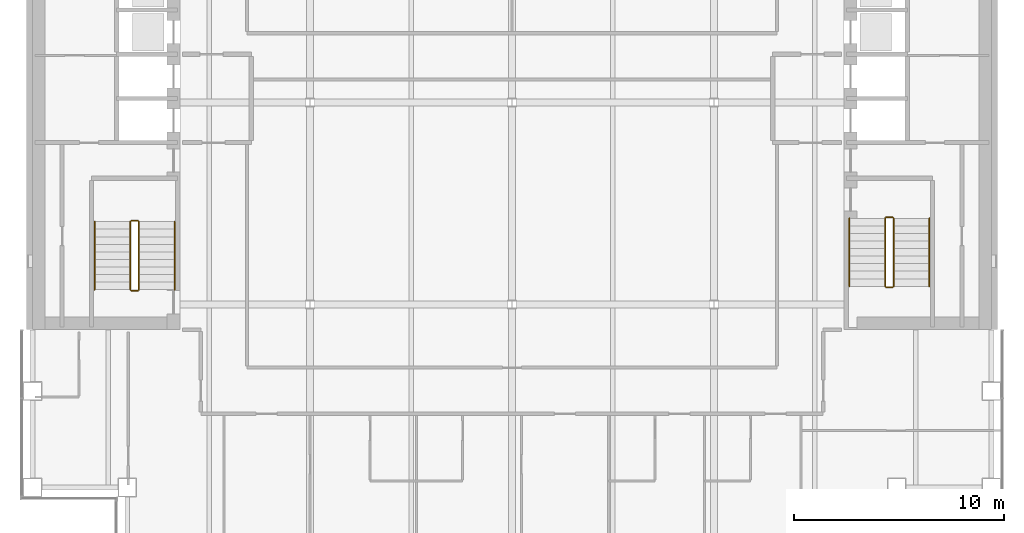
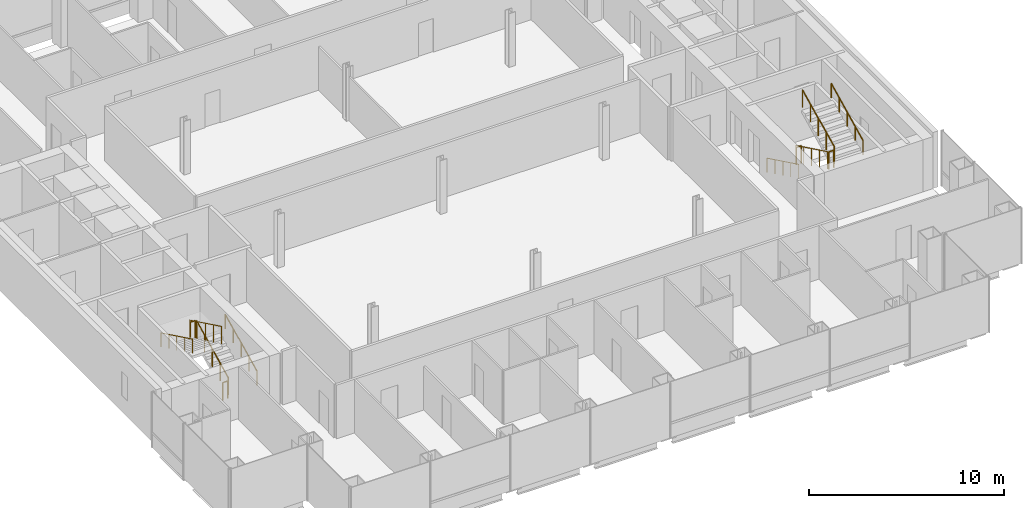
# One storey, part 14 of 15: 12 railings.
"""IFC4 building model written with IfcOpenShell, lengths in metres."""

from ifc_helpers import new_model, si_unit, direction, frame, origin, origin_2d, place, context, subcontext, project, spatial, circle, extrude, material, type_object, element, save


model = new_model("IFC4")

# Units and contexts
model_context = context("Model", 3, precision=1e-05, world=origin(), true_north=direction((0.0, 1.0)))
body_context = subcontext(model_context, "Body", "Model", "MODEL_VIEW")
ifc_project = project(units=[si_unit("LENGTHUNIT", "METRE"), si_unit("AREAUNIT", "SQUARE_METRE"), si_unit("VOLUMEUNIT", "CUBIC_METRE"), si_unit("PLANEANGLEUNIT", "RADIAN"), si_unit("MASSUNIT", "GRAM", prefix="KILO")], contexts=[model_context])

# Site, building, storey
site_placement = place(None, origin())
site = spatial("IfcSite", under=ifc_project, at=site_placement, CompositionType="ELEMENT")
building_placement = place(site_placement, origin())
building = spatial("IfcBuilding", under=site, at=building_placement, Name="Cobrizo Arcos Hotel Tower", CompositionType="ELEMENT")
storey_placement = place(building_placement, frame((0.0, 0.0, 99.5)))
storey = spatial("IfcBuildingStorey", under=building, at=storey_placement, Name="L24", CompositionType="ELEMENT", Elevation=99.5)

# Railings
ifc_material = material(Name="Stainless steel railing", Category="steel")
railing_type_1 = type_object("IfcRailingType", Name="Stair guard 1100", PredefinedType="GUARDRAIL", material=ifc_material)
railing_1_placement = place(storey_placement, frame((-17.75, -8.89990234375, 0.175048828125)))
element("IfcRailing", 1, at=railing_1_placement, inside=storey, type_object=railing_type_1, Name="L24 ST-W stair guard 1", PredefinedType="GUARDRAIL", context=body_context, shape_type="SweptSolid", body=[
    extrude(circle(Radius=0.02392578125, at=origin_2d()), frame((0.0, 0.0, 1.076171875), z_axis=(0.0, 0.899372665325, 0.437182809435), x_axis=(-1.0, 0.0, 0.0)), (0.0, 0.0, 1.0), 3.6025390625),
    extrude(circle(Radius=0.02099609375, at=origin_2d()), origin(), (0.0, 0.0, 1.0), 1.052001953125),
    extrude(circle(Radius=0.02099609375, at=origin_2d()), frame((0.0, 0.81005859375, 0.393798828125)), (0.0, 0.0, 1.0), 1.052001953125),
    extrude(circle(Radius=0.02099609375, at=origin_2d()), frame((0.0, 1.6201171875, 0.78759765625)), (0.0, 0.0, 1.0), 1.052001953125),
    extrude(circle(Radius=0.02099609375, at=origin_2d()), frame((0.0, 2.429931640625, 1.18115234375)), (0.0, 0.0, 1.0), 1.052001953125),
    extrude(circle(Radius=0.02099609375, at=origin_2d()), frame((0.0, 3.239990234375, 1.574951171875)), (0.0, 0.0, 1.0), 1.052001953125),
])
railing_2_placement = place(storey_placement, frame((-17.800048828125, -5.610107421875, 1.75)))
element("IfcRailing", 2, at=railing_2_placement, inside=storey, type_object=railing_type_1, Name="L24 ST-W stair guard 2", PredefinedType="GUARDRAIL", context=body_context, shape_type="SweptSolid", body=[
    extrude(circle(Radius=0.02392578125, at=origin_2d()), frame((0.0, 0.0, 1.076171875), z_axis=(-1.0, 0.0, 0.0), x_axis=(0.0, -1.0, 0.0)), (0.0, 0.0, 1.0), 0.300048828125),
    extrude(circle(Radius=0.02099609375, at=origin_2d()), origin(), (0.0, 0.0, 1.0), 1.052001953125),
    extrude(circle(Radius=0.02099609375, at=origin_2d()), frame((-0.300048828125, 0.0, 0.0)), (0.0, 0.0, 1.0), 1.052001953125),
])
railing_3_placement = place(storey_placement, frame((-18.14990234375, -5.659912109375, 1.925048828125)))
element("IfcRailing", 3, at=railing_3_placement, inside=storey, type_object=railing_type_1, Name="L24 ST-W stair guard 3", PredefinedType="GUARDRAIL", context=body_context, shape_type="SweptSolid", body=[
    extrude(circle(Radius=0.02392578125, at=origin_2d()), frame((0.0, 0.0, 1.076171875), z_axis=(0.0, -0.899372665325, 0.437182809435), x_axis=(1.0, 0.0, 0.0)), (0.0, 0.0, 1.0), 3.6025390625),
    extrude(circle(Radius=0.02099609375, at=origin_2d()), origin(), (0.0, 0.0, 1.0), 1.052001953125),
    extrude(circle(Radius=0.02099609375, at=origin_2d()), frame((0.0, -0.81005859375, 0.393798828125)), (0.0, 0.0, 1.0), 1.052001953125),
    extrude(circle(Radius=0.02099609375, at=origin_2d()), frame((0.0, -1.6201171875, 0.78759765625)), (0.0, 0.0, 1.0), 1.052001953125),
    extrude(circle(Radius=0.02099609375, at=origin_2d()), frame((0.0, -2.429931640625, 1.18115234375)), (0.0, 0.0, 1.0), 1.052001953125),
    extrude(circle(Radius=0.02099609375, at=origin_2d()), frame((0.0, -3.239990234375, 1.574951171875)), (0.0, 0.0, 1.0), 1.052001953125),
])
railing_4_placement = place(storey_placement, frame((-17.800048828125, -8.949951171875, 0.0)))
element("IfcRailing", 4, at=railing_4_placement, inside=storey, type_object=railing_type_1, Name="L24 ST-W stair guard 4", PredefinedType="GUARDRAIL", context=body_context, shape_type="SweptSolid", body=[
    extrude(circle(Radius=0.02392578125, at=origin_2d()), frame((0.0, 0.0, 1.076171875), z_axis=(-1.0, 0.0, 0.0), x_axis=(0.0, -1.0, 0.0)), (0.0, 0.0, 1.0), 0.300048828125),
    extrude(circle(Radius=0.02099609375, at=origin_2d()), origin(), (0.0, 0.0, 1.0), 1.052001953125),
    extrude(circle(Radius=0.02099609375, at=origin_2d()), frame((-0.300048828125, 0.0, 0.0)), (0.0, 0.0, 1.0), 1.052001953125),
])
railing_5_placement = place(storey_placement, frame((17.75, -5.5, 0.175048828125)))
element("IfcRailing", 5, at=railing_5_placement, inside=storey, type_object=railing_type_1, Name="L24 ST-E stair guard 1", PredefinedType="GUARDRAIL", context=body_context, shape_type="SweptSolid", body=[
    extrude(circle(Radius=0.02392578125, at=origin_2d()), frame((0.0, 0.0, 1.076171875), z_axis=(0.0, -0.899372665325, 0.437182809435), x_axis=(1.0, 0.0, 0.0)), (0.0, 0.0, 1.0), 3.6025390625),
    extrude(circle(Radius=0.02099609375, at=origin_2d()), origin(), (0.0, 0.0, 1.0), 1.052001953125),
    extrude(circle(Radius=0.02099609375, at=origin_2d()), frame((0.0, -0.81005859375, 0.393798828125)), (0.0, 0.0, 1.0), 1.052001953125),
    extrude(circle(Radius=0.02099609375, at=origin_2d()), frame((0.0, -1.6201171875, 0.78759765625)), (0.0, 0.0, 1.0), 1.052001953125),
    extrude(circle(Radius=0.02099609375, at=origin_2d()), frame((0.0, -2.429931640625, 1.18115234375)), (0.0, 0.0, 1.0), 1.052001953125),
    extrude(circle(Radius=0.02099609375, at=origin_2d()), frame((0.0, -3.239990234375, 1.574951171875)), (0.0, 0.0, 1.0), 1.052001953125),
])
railing_6_placement = place(storey_placement, frame((17.800048828125, -8.7900390625, 1.75)))
element("IfcRailing", 6, at=railing_6_placement, inside=storey, type_object=railing_type_1, Name="L24 ST-E stair guard 2", PredefinedType="GUARDRAIL", context=body_context, shape_type="SweptSolid", body=[
    extrude(circle(Radius=0.02392578125, at=origin_2d()), frame((0.0, 0.0, 1.076171875), z_axis=(1.0, 0.0, 0.0), x_axis=(0.0, 1.0, 0.0)), (0.0, 0.0, 1.0), 0.300048828125),
    extrude(circle(Radius=0.02099609375, at=origin_2d()), origin(), (0.0, 0.0, 1.0), 1.052001953125),
    extrude(circle(Radius=0.02099609375, at=origin_2d()), frame((0.300048828125, 0.0, 0.0)), (0.0, 0.0, 1.0), 1.052001953125),
])
railing_7_placement = place(storey_placement, frame((18.14990234375, -8.739990234375, 1.925048828125)))
element("IfcRailing", 7, at=railing_7_placement, inside=storey, type_object=railing_type_1, Name="L24 ST-E stair guard 3", PredefinedType="GUARDRAIL", context=body_context, shape_type="SweptSolid", body=[
    extrude(circle(Radius=0.02392578125, at=origin_2d()), frame((0.0, 0.0, 1.076171875), z_axis=(0.0, 0.899372665325, 0.437182809435), x_axis=(-1.0, 0.0, 0.0)), (0.0, 0.0, 1.0), 3.6025390625),
    extrude(circle(Radius=0.02099609375, at=origin_2d()), origin(), (0.0, 0.0, 1.0), 1.052001953125),
    extrude(circle(Radius=0.02099609375, at=origin_2d()), frame((0.0, 0.81005859375, 0.393798828125)), (0.0, 0.0, 1.0), 1.052001953125),
    extrude(circle(Radius=0.02099609375, at=origin_2d()), frame((0.0, 1.6201171875, 0.78759765625)), (0.0, 0.0, 1.0), 1.052001953125),
    extrude(circle(Radius=0.02099609375, at=origin_2d()), frame((0.0, 2.429931640625, 1.18115234375)), (0.0, 0.0, 1.0), 1.052001953125),
    extrude(circle(Radius=0.02099609375, at=origin_2d()), frame((0.0, 3.239990234375, 1.574951171875)), (0.0, 0.0, 1.0), 1.052001953125),
])
railing_8_placement = place(storey_placement, frame((17.800048828125, -5.449951171875, 0.0)))
element("IfcRailing", 8, at=railing_8_placement, inside=storey, type_object=railing_type_1, Name="L24 ST-E stair guard 4", PredefinedType="GUARDRAIL", context=body_context, shape_type="SweptSolid", body=[
    extrude(circle(Radius=0.02392578125, at=origin_2d()), frame((0.0, 0.0, 1.076171875), z_axis=(1.0, 0.0, 0.0), x_axis=(0.0, 1.0, 0.0)), (0.0, 0.0, 1.0), 0.300048828125),
    extrude(circle(Radius=0.02099609375, at=origin_2d()), origin(), (0.0, 0.0, 1.0), 1.052001953125),
    extrude(circle(Radius=0.02099609375, at=origin_2d()), frame((0.300048828125, 0.0, 0.0)), (0.0, 0.0, 1.0), 1.052001953125),
])
railing_type_2 = type_object("IfcRailingType", Name="Stair handrail", PredefinedType="HANDRAIL", material=ifc_material)
railing_9_placement = place(storey_placement, frame((-16.050048828125, -8.89990234375, 0.175048828125)))
element("IfcRailing", 9, at=railing_9_placement, inside=storey, type_object=railing_type_2, Name="L24 ST-W stair handrail 1", PredefinedType="HANDRAIL", context=body_context, shape_type="SweptSolid", body=[
    extrude(circle(Radius=0.02392578125, at=origin_2d()), frame((0.0, 0.0, 0.8759765625), z_axis=(0.0, 0.899372665325, 0.437182809435), x_axis=(-1.0, 0.0, 0.0)), (0.0, 0.0, 1.0), 3.6025390625),
    extrude(circle(Radius=0.02099609375, at=origin_2d()), origin(), (0.0, 0.0, 1.0), 0.851806640625),
    extrude(circle(Radius=0.02099609375, at=origin_2d()), frame((0.0, 0.81005859375, 0.393798828125)), (0.0, 0.0, 1.0), 0.851806640625),
    extrude(circle(Radius=0.02099609375, at=origin_2d()), frame((0.0, 1.6201171875, 0.78759765625)), (0.0, 0.0, 1.0), 0.851806640625),
    extrude(circle(Radius=0.02099609375, at=origin_2d()), frame((0.0, 2.429931640625, 1.18115234375)), (0.0, 0.0, 1.0), 0.851806640625),
    extrude(circle(Radius=0.02099609375, at=origin_2d()), frame((0.0, 3.239990234375, 1.574951171875)), (0.0, 0.0, 1.0), 0.851806640625),
])
for number, where, name in (
    (10, (-19.85009765625, -5.659912109375, 1.925048828125), "L24 ST-W stair handrail 2"),
    (11, (16.050048828125, -5.5, 0.175048828125), "L24 ST-E stair handrail 1"),
):
    element("IfcRailing", number, at=place(storey_placement, frame(where)), inside=storey, type_object=railing_type_2, Name=name, PredefinedType="HANDRAIL", context=body_context, shape_type="SweptSolid", body=[
        extrude(circle(Radius=0.02392578125, at=origin_2d()), frame((0.0, 0.0, 0.8759765625), z_axis=(0.0, -0.899372665325, 0.437182809435), x_axis=(1.0, 0.0, 0.0)), (0.0, 0.0, 1.0), 3.6025390625),
        extrude(circle(Radius=0.02099609375, at=origin_2d()), origin(), (0.0, 0.0, 1.0), 0.851806640625),
        extrude(circle(Radius=0.02099609375, at=origin_2d()), frame((0.0, -0.81005859375, 0.393798828125)), (0.0, 0.0, 1.0), 0.851806640625),
        extrude(circle(Radius=0.02099609375, at=origin_2d()), frame((0.0, -1.6201171875, 0.78759765625)), (0.0, 0.0, 1.0), 0.851806640625),
        extrude(circle(Radius=0.02099609375, at=origin_2d()), frame((0.0, -2.429931640625, 1.18115234375)), (0.0, 0.0, 1.0), 0.851806640625),
        extrude(circle(Radius=0.02099609375, at=origin_2d()), frame((0.0, -3.239990234375, 1.574951171875)), (0.0, 0.0, 1.0), 0.851806640625),
    ])
railing_10_placement = place(storey_placement, frame((19.85009765625, -8.739990234375, 1.925048828125)))
element("IfcRailing", 12, at=railing_10_placement, inside=storey, type_object=railing_type_2, Name="L24 ST-E stair handrail 2", PredefinedType="HANDRAIL", context=body_context, shape_type="SweptSolid", body=[
    extrude(circle(Radius=0.02392578125, at=origin_2d()), frame((0.0, 0.0, 0.8759765625), z_axis=(0.0, 0.899372665325, 0.437182809435), x_axis=(-1.0, 0.0, 0.0)), (0.0, 0.0, 1.0), 3.6025390625),
    extrude(circle(Radius=0.02099609375, at=origin_2d()), origin(), (0.0, 0.0, 1.0), 0.851806640625),
    extrude(circle(Radius=0.02099609375, at=origin_2d()), frame((0.0, 0.81005859375, 0.393798828125)), (0.0, 0.0, 1.0), 0.851806640625),
    extrude(circle(Radius=0.02099609375, at=origin_2d()), frame((0.0, 1.6201171875, 0.78759765625)), (0.0, 0.0, 1.0), 0.851806640625),
    extrude(circle(Radius=0.02099609375, at=origin_2d()), frame((0.0, 2.429931640625, 1.18115234375)), (0.0, 0.0, 1.0), 0.851806640625),
    extrude(circle(Radius=0.02099609375, at=origin_2d()), frame((0.0, 3.239990234375, 1.574951171875)), (0.0, 0.0, 1.0), 0.851806640625),
])

save(model, "model.ifc")
